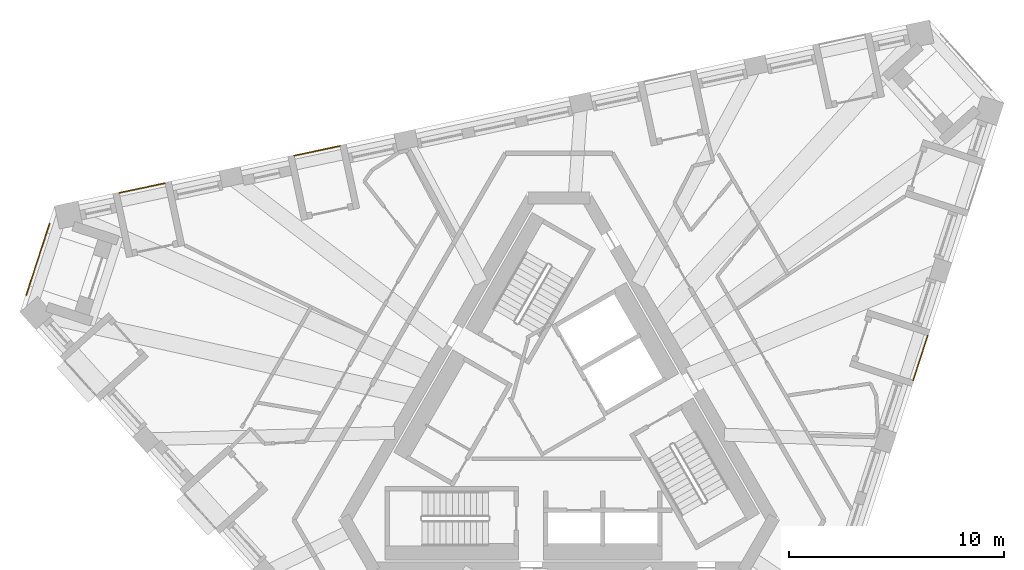
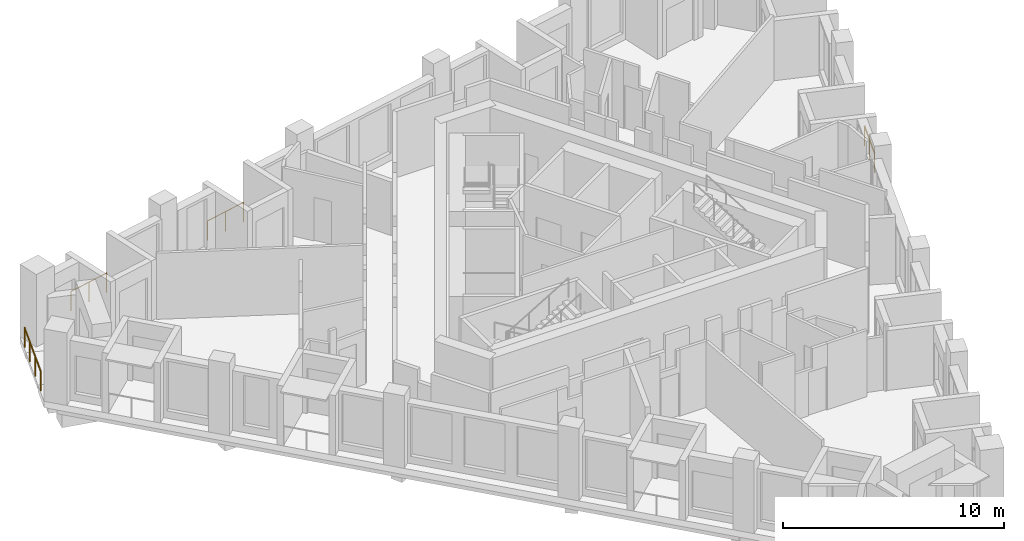
# One storey, part 11 of 12: 4 railings.
"""IFC4 building model written with IfcOpenShell, lengths in metres."""

from ifc_helpers import new_model, si_unit, direction, frame, origin, origin_2d, place, context, subcontext, project, spatial, circle, extrude, material, type_object, element, save


model = new_model("IFC4")

# Units and contexts
model_context = context("Model", 3, precision=1e-05, world=origin(), true_north=direction((0.0, 1.0)))
body_context = subcontext(model_context, "Body", "Model", "MODEL_VIEW")
ifc_project = project(units=[si_unit("LENGTHUNIT", "METRE"), si_unit("AREAUNIT", "SQUARE_METRE"), si_unit("VOLUMEUNIT", "CUBIC_METRE"), si_unit("PLANEANGLEUNIT", "RADIAN"), si_unit("MASSUNIT", "GRAM", prefix="KILO")], contexts=[model_context])

# Site, building, storey
site_placement = place(None, origin())
site = spatial("IfcSite", under=ifc_project, at=site_placement, CompositionType="ELEMENT")
building_placement = place(site_placement, origin())
building = spatial("IfcBuilding", under=site, at=building_placement, Name="Tramontana Tower", CompositionType="ELEMENT")
storey_placement = place(building_placement, frame((0.0, 0.0, 332.39990234375)))
storey = spatial("IfcBuildingStorey", under=building, at=storey_placement, Name="L76", CompositionType="ELEMENT", Elevation=332.39990234375)

# Railings
ifc_material = material(Name="Laminated glass balustrade", Category="glass")
railing_type = type_object("IfcRailingType", Name="GD1 Loggia glass balustrade 1100", PredefinedType="BALUSTRADE", material=ifc_material)
railing_1_placement = place(storey_placement, frame((16.470947265625, 2.24853515625, 0.0)))
element("IfcRailing", 1, at=railing_1_placement, inside=storey, type_object=railing_type, Name="Loggia balustrade L76 G8S1.10", PredefinedType="BALUSTRADE", context=body_context, shape_type="SweptSolid", body=[
    extrude(circle(Radius=0.02392578125, at=origin_2d()), frame((0.0, 0.0, 1.076171875), z_axis=(0.308999623589, 0.95106216023, 0.0), x_axis=(-0.95106216023, 0.308999623589, 0.0)), (0.0, 0.0, 1.0), 2.171142578125),
    extrude(circle(Radius=0.02099609375, at=origin_2d()), origin(), (0.0, 0.0, 1.0), 1.052001953125),
    extrude(circle(Radius=0.02099609375, at=origin_2d()), frame((0.33544921875, 1.032470703125, 0.0)), (0.0, 0.0, 1.0), 1.052001953125),
    extrude(circle(Radius=0.02099609375, at=origin_2d()), frame((0.6708984375, 2.06494140625, 0.0)), (0.0, 0.0, 1.0), 1.052001953125),
])
railing_2_placement = place(storey_placement, frame((-10.1826171875, 13.14013671875, 0.0)))
element("IfcRailing", 2, at=railing_2_placement, inside=storey, type_object=railing_type, Name="Loggia balustrade L76 G8S2.10", PredefinedType="BALUSTRADE", context=body_context, shape_type="SweptSolid", body=[
    extrude(circle(Radius=0.02392578125, at=origin_2d()), frame((0.0, 0.0, 1.076171875), z_axis=(-0.978153135692, -0.207885649183, 0.0), x_axis=(0.207885649183, -0.978153135692, 0.0)), (0.0, 0.0, 1.0), 2.17138671875),
    extrude(circle(Radius=0.02099609375, at=origin_2d()), origin(), (0.0, 0.0, 1.0), 1.052001953125),
    extrude(circle(Radius=0.02099609375, at=origin_2d()), frame((-1.06201171875, -0.2255859375, 0.0)), (0.0, 0.0, 1.0), 1.052001953125),
    extrude(circle(Radius=0.02099609375, at=origin_2d()), frame((-2.1240234375, -0.451416015625, 0.0)), (0.0, 0.0, 1.0), 1.052001953125),
])
railing_3_placement = place(storey_placement, frame((-18.31494140625, 11.411376953125, 0.0)))
element("IfcRailing", 3, at=railing_3_placement, inside=storey, type_object=railing_type, Name="Loggia balustrade L76 G8S2.13", PredefinedType="BALUSTRADE", context=body_context, shape_type="SweptSolid", body=[
    extrude(circle(Radius=0.02392578125, at=origin_2d()), frame((0.0, 0.0, 1.076171875), z_axis=(-0.978148276005, -0.207908513891, 0.0), x_axis=(0.207908513891, -0.978148276005, 0.0)), (0.0, 0.0, 1.0), 2.171142578125),
    extrude(circle(Radius=0.02099609375, at=origin_2d()), origin(), (0.0, 0.0, 1.0), 1.052001953125),
    extrude(circle(Radius=0.02099609375, at=origin_2d()), frame((-1.06201171875, -0.2255859375, 0.0)), (0.0, 0.0, 1.0), 1.052001953125),
    extrude(circle(Radius=0.02099609375, at=origin_2d()), frame((-2.123779296875, -0.451416015625, 0.0)), (0.0, 0.0, 1.0), 1.052001953125),
])
railing_4_placement = place(storey_placement, frame((-24.76416015625, 6.206298828125, 0.0)))
element("IfcRailing", 4, at=railing_4_placement, inside=storey, type_object=railing_type, Name="Corner loggia balustrade L76 K80", PredefinedType="BALUSTRADE", context=body_context, shape_type="SweptSolid", body=[
    extrude(circle(Radius=0.02392578125, at=origin_2d()), frame((0.0, 0.0, 1.076171875), z_axis=(0.309019824916, 0.951055596592, 0.0), x_axis=(-0.951055596592, 0.309019824916, 0.0)), (0.0, 0.0, 1.0), 3.5),
    extrude(circle(Radius=0.02099609375, at=origin_2d()), origin(), (0.0, 0.0, 1.0), 1.052001953125),
    extrude(circle(Radius=0.02099609375, at=origin_2d()), frame((0.360595703125, 1.109619140625, 0.0)), (0.0, 0.0, 1.0), 1.052001953125),
    extrude(circle(Radius=0.02099609375, at=origin_2d()), frame((0.720947265625, 2.218994140625, 0.0)), (0.0, 0.0, 1.0), 1.052001953125),
    extrude(circle(Radius=0.02099609375, at=origin_2d()), frame((1.08154296875, 3.32861328125, 0.0)), (0.0, 0.0, 1.0), 1.052001953125),
])

save(model, "model.ifc")
